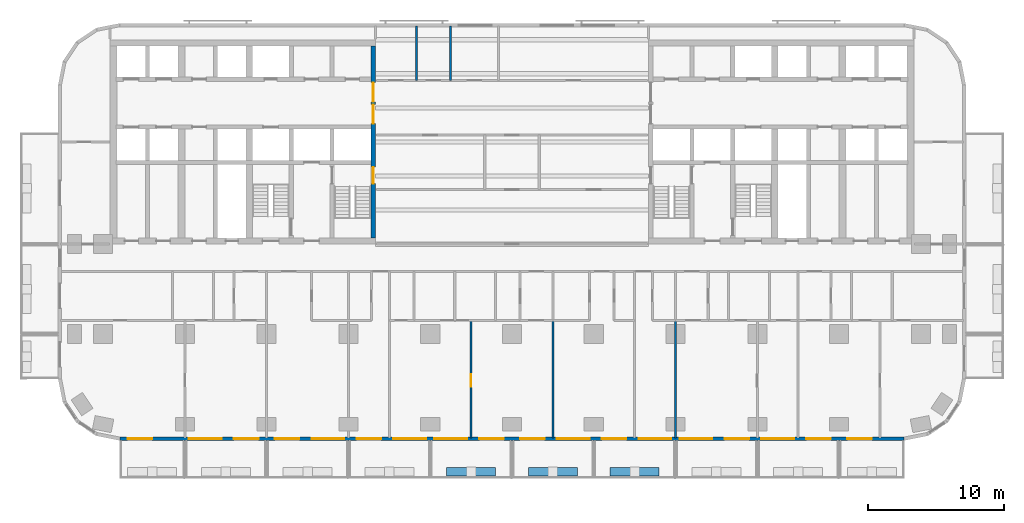
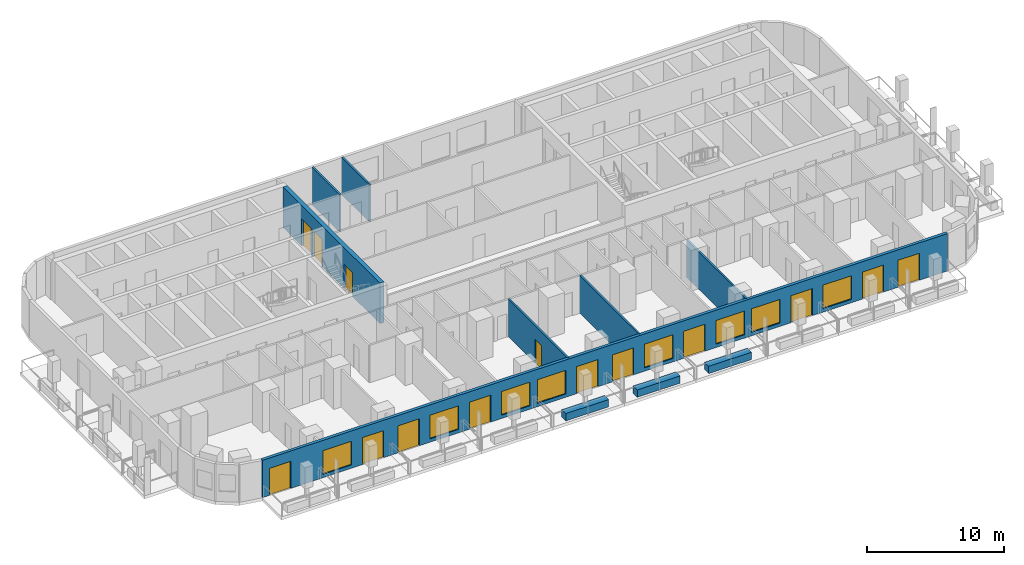
# One storey, part 4 of 14: 14 doors, 10 walls, 8 windows, 22 openings.
"""IFC4 building model written with IfcOpenShell, lengths in metres."""

import ifcopenshell
import ifcopenshell.guid

model = None  # the IFC model being written
_history = None  # IfcOwnerHistory: only IFC2X3 demands one
_inside = {}  # id of a spatial element -> (the spatial element, [elements in it])
_under = {}  # id of a project, library or spatial element -> (it, [spatial elements below it])
_declared = {}  # id of a project -> (the project, [libraries it declares])
_typed = {}  # id of a type object -> (the type object, [elements of that type])
_made_of = {}  # id of a material, layer set ... -> (it, [elements and type objects made of it])


def new_model(schema):
    """Start an empty IFC model of exactly this schema.

    Asked for "IFC4X3", IfcOpenShell would pick the latest addendum, in which some entities
    have other attributes; the version numbers below select the first issue.
    IFC2X3 requires an IfcOwnerHistory on every rooted entity: one is made here for all.
    """
    global model, _history
    if schema == "IFC4X3":
        model = ifcopenshell.file(schema_version=(4, 3, 0, 0))
    else:
        model = ifcopenshell.file(schema=schema)
    _inside.clear()
    _under.clear()
    _declared.clear()
    _typed.clear()
    _made_of.clear()
    _history = None
    if model.schema == "IFC2X3":
        org = make("IfcOrganization", Name="unknown")
        user = make(
            "IfcPersonAndOrganization",
            ThePerson=make("IfcPerson", FamilyName="unknown"),
            TheOrganization=org,
        )
        app = make(
            "IfcApplication",
            ApplicationDeveloper=org,
            Version="unknown",
            ApplicationFullName="unknown",
            ApplicationIdentifier="unknown",
        )
        _history = make(
            "IfcOwnerHistory",
            OwningUser=user,
            OwningApplication=app,
            ChangeAction="ADDED",
            CreationDate=0,
        )
    return model


def make(cls, **values):
    """One entity of the class cls with the attributes given. An attribute that is None is left unset."""
    return model.create_entity(
        cls, **{name: value for name, value in values.items() if value is not None}
    )


def rooted(cls, **values):
    """An entity with a GlobalId (a new one), such as an element, a storey or a relation."""
    return make(cls, GlobalId=ifcopenshell.guid.new(), OwnerHistory=_history, **values)


def si_unit(unit_type, name, prefix=None):
    """IfcSIUnit, for example si_unit("LENGTHUNIT", "METRE", prefix="MILLI")."""
    return make("IfcSIUnit", UnitType=unit_type, Prefix=prefix, Name=name)


def assignment(units):
    """IfcUnitAssignment: the units of a project."""
    return None if units is None else make("IfcUnitAssignment", Units=units)


def point(xyz):
    """IfcCartesianPoint."""
    return None if xyz is None else make("IfcCartesianPoint", Coordinates=xyz)


def direction(xyz):
    """IfcDirection."""
    return None if xyz is None else make("IfcDirection", DirectionRatios=xyz)


def frame(location, z_axis=None, x_axis=None):
    """IfcAxis2Placement3D, a coordinate frame: its origin and axes. An axis left out is left unset."""
    return make(
        "IfcAxis2Placement3D",
        Location=point(location),
        Axis=direction(z_axis),
        RefDirection=direction(x_axis),
    )


def frame_2d(location, x_axis=None):
    """IfcAxis2Placement2D, a coordinate frame in the plane: its origin and x axis."""
    return make(
        "IfcAxis2Placement2D", Location=point(location), RefDirection=direction(x_axis)
    )


def origin():
    """The frame at (0, 0, 0) with its axes left unset."""
    return frame((0.0, 0.0, 0.0))


def place(relative_to, where):
    """IfcLocalPlacement: puts the frame where relative to a parent placement (None: the world)."""
    return make(
        "IfcLocalPlacement", PlacementRelTo=relative_to, RelativePlacement=where
    )


def context(
    kind, dimensions, precision=None, world=None, true_north=None, identifier=None
):
    """IfcGeometricRepresentationContext, for example the 3D "Model" context."""
    return make(
        "IfcGeometricRepresentationContext",
        ContextIdentifier=identifier,
        ContextType=kind,
        CoordinateSpaceDimension=dimensions,
        Precision=precision,
        WorldCoordinateSystem=world,
        TrueNorth=true_north,
    )


def subcontext(parent, identifier, kind, view, scale=None):
    """IfcGeometricRepresentationSubContext, for example "Body" below "Model"."""
    return make(
        "IfcGeometricRepresentationSubContext",
        ContextIdentifier=identifier,
        ContextType=kind,
        ParentContext=parent,
        TargetScale=scale,
        TargetView=view,
    )


def project(units=None, contexts=None):
    """IfcProject with its units and contexts."""
    return rooted(
        "IfcProject",
        Name="project",
        RepresentationContexts=contexts,
        UnitsInContext=assignment(units),
    )


def spatial(cls, under=None, at=None, **own):
    """A site, building, storey or space (cls), placed at a placement, below another one or the project."""
    s = rooted(cls, ObjectPlacement=at, **own)
    if under is not None:
        _under.setdefault(under.id(), (under, []))[1].append(s)
    return s


def profile(cls, at=None, kind="AREA", **sizes):
    """A parametric profile (cls). Its sizes go by their IFC names, for example OverallWidth=200.0."""
    return make(cls, ProfileType=kind, Position=at, **sizes)


def rectangle(**sizes):
    """IfcRectangleProfileDef."""
    return profile("IfcRectangleProfileDef", **sizes)


def extrude(swept, where, along, depth):
    """IfcExtrudedAreaSolid: the profile swept, set in the frame where, extruded along a direction by depth."""
    return make(
        "IfcExtrudedAreaSolid",
        SweptArea=swept,
        Position=where,
        ExtrudedDirection=direction(along),
        Depth=depth,
    )


def shape(context_of_items, identifier, shape_type, items):
    """IfcShapeRepresentation: the items that make up one representation, for example the "Body"."""
    return make(
        "IfcShapeRepresentation",
        ContextOfItems=context_of_items,
        RepresentationIdentifier=identifier,
        RepresentationType=shape_type,
        Items=items,
    )


def material(Name=None, Category=None):
    """IfcMaterial."""
    return make("IfcMaterial", Name=Name, Category=Category)


def layer(
    of_material, thickness, ventilated=None, Name=None, Category=None, Priority=None
):
    """IfcMaterialLayer: one layer of a wall or slab, of a material (None: an air gap)."""
    return make(
        "IfcMaterialLayer",
        Material=of_material,
        LayerThickness=thickness,
        IsVentilated=ventilated,
        Name=Name,
        Category=Category,
        Priority=Priority,
    )


def layer_set(layers, Name=None):
    """IfcMaterialLayerSet."""
    return make("IfcMaterialLayerSet", MaterialLayers=layers, LayerSetName=Name)


def made_of(thing, what):
    """Note that an element or type object is made of a material, layer set ...; save() writes the relation."""
    if what is not None:
        _made_of.setdefault(what.id(), (what, []))[1].append(thing)
    return thing


def type_object(cls, material=None, **own):
    """A type object (cls), such as IfcWallType, which elements share."""
    return made_of(rooted(cls, **own), material)


def element(
    cls,
    number,
    at=None,
    inside=None,
    cuts=None,
    type_object=None,
    material=None,
    context=None,
    identifier="Body",
    shape_type=None,
    held_by="IfcProductDefinitionShape",
    body=None,
    shapes=None,
    **own,
):
    """One element of the class cls, such as IfcWall. Its Tag is "e" and its number.

    at: its placement. inside: the storey or other place that contains it. cuts: it is an
    opening in that element (IfcRelVoidsElement). A single representation is given by context,
    identifier, shape_type and body (its items); several are given by shapes. held_by: the class
    of the entity that holds the representations. save() writes the other relations.
    """
    e = rooted(cls, Tag="e%d" % number, ObjectPlacement=at, **own)
    if body is not None:
        shapes = [shape(context, identifier, shape_type, body)]
    if shapes is not None:
        e.Representation = make(held_by, Representations=shapes)
    if inside is not None:
        _inside.setdefault(inside.id(), (inside, []))[1].append(e)
    if cuts is not None:
        rooted(
            "IfcRelVoidsElement", RelatingBuildingElement=cuts, RelatedOpeningElement=e
        )
    if type_object is not None:
        _typed.setdefault(type_object.id(), (type_object, []))[1].append(e)
    return made_of(e, material)


def fill(opening, filler):
    """IfcRelFillsElement: the door or window that sits in an opening."""
    return rooted(
        "IfcRelFillsElement",
        RelatingOpeningElement=opening,
        RelatedBuildingElement=filler,
    )


def aggregate(whole, parts):
    """IfcRelAggregates: a whole, such as a stair, and the parts it consists of."""
    return rooted("IfcRelAggregates", RelatingObject=whole, RelatedObjects=parts)


def save(model, path):
    """Write the relations noted so far, then the file.

    IfcRelAggregates (storeys below a building ...), IfcRelContainedInSpatialStructure (elements
    in a storey), IfcRelDefinesByType, IfcRelAssociatesMaterial and IfcRelDeclares: one each for
    every whole, place, type object, material and project.
    """
    for whole, parts in _under.values():
        aggregate(whole, parts)
    for where, things in _inside.values():
        rooted(
            "IfcRelContainedInSpatialStructure",
            RelatedElements=things,
            RelatingStructure=where,
        )
    for kind, things in _typed.values():
        rooted("IfcRelDefinesByType", RelatedObjects=things, RelatingType=kind)
    for what, things in _made_of.values():
        rooted("IfcRelAssociatesMaterial", RelatedObjects=things, RelatingMaterial=what)
    for by, libraries in _declared.values():
        rooted("IfcRelDeclares", RelatingContext=by, RelatedDefinitions=libraries)
    model.write(path)


model = new_model("IFC4")

# Units and contexts
model_context = context("Model", 3, precision=1e-05, world=origin(), true_north=direction((0.0, 1.0)))
body_context = subcontext(model_context, "Body", "Model", "MODEL_VIEW")
ifc_project = project(units=[si_unit("LENGTHUNIT", "METRE"), si_unit("AREAUNIT", "SQUARE_METRE"), si_unit("VOLUMEUNIT", "CUBIC_METRE"), si_unit("PLANEANGLEUNIT", "RADIAN"), si_unit("MASSUNIT", "GRAM", prefix="KILO")], contexts=[model_context])

# Site, building, storey
site_placement = place(None, origin())
site = spatial("IfcSite", under=ifc_project, at=site_placement, CompositionType="ELEMENT")
building_placement = place(site_placement, origin())
building = spatial("IfcBuilding", under=site, at=building_placement, Name="Torana Hotel and Residences", CompositionType="ELEMENT")
storey_placement = place(building_placement, frame((0.0, 0.0, 96.0)))
storey = spatial("IfcBuildingStorey", under=building, at=storey_placement, Name="L24", CompositionType="ELEMENT", Elevation=96.0)

# Wall, openings, doors
ifc_material_1 = material(Name="Concrete C80/95", Category="concrete")
ifc_layer_1 = layer(ifc_material_1, 0.35009765625)
ifc_layer_set_1 = layer_set([ifc_layer_1], Name="CORE WALL 350 C80/95")
wall_type_1 = type_object("IfcWallType", Name="CORE WALL 350 C80/95", PredefinedType="SHEAR", material=ifc_layer_set_1)
wall_1_placement = place(storey_placement, frame((-10.175048828125, -14.550048828125, 0.0), z_axis=(0.0, 0.0, 1.0), x_axis=(0.0, 1.0, 0.0)))
wall_1 = element("IfcWall", 1, at=wall_1_placement, inside=storey, type_object=wall_type_1, Name="Core wall W arch", PredefinedType="SHEAR", context=body_context, shape_type="SweptSolid", body=[
    extrude(rectangle(XDim=14.10009765625, YDim=0.35009765625, at=frame_2d((7.050048828125, 0.0))), origin(), (0.0, 0.0, 1.0), 3.60009765625),
])
opening_1_placement = place(wall_1_placement, frame((8.39990234375, 0.0, 0.0)))
opening_1 = element("IfcOpeningElement", 2, at=opening_1_placement, cuts=wall_1, Name="Opening L24-01", PredefinedType="OPENING", context=body_context, shape_type="SweptSolid", body=[
    extrude(rectangle(XDim=1.39990234375, YDim=2.39990234375, at=frame_2d((0.699951171875, 1.199951171875))), frame((0.0, 0.18505859375, 0.0), z_axis=(0.0, -1.0, 0.0), x_axis=(1.0, 0.0, 0.0)), (0.0, 0.0, 1.0), 0.3701171875),
])
opening_2_placement = place(wall_1_placement, frame((10.0, 0.0, 0.0)))
opening_2 = element("IfcOpeningElement", 3, at=opening_2_placement, cuts=wall_1, Name="Opening L24-02", PredefinedType="OPENING", context=body_context, shape_type="SweptSolid", body=[
    extrude(rectangle(XDim=1.39990234375, YDim=2.39990234375, at=frame_2d((0.699951171875, 1.199951171875))), frame((0.0, 0.18505859375, 0.0), z_axis=(0.0, -1.0, 0.0), x_axis=(1.0, 0.0, 0.0)), (0.0, 0.0, 1.0), 0.3701171875),
])
opening_3_placement = place(wall_1_placement, frame((4.0, 0.0, 0.0)))
opening_3 = element("IfcOpeningElement", 4, at=opening_3_placement, cuts=wall_1, Name="Opening L24-03", PredefinedType="OPENING", context=body_context, shape_type="SweptSolid", body=[
    extrude(rectangle(XDim=1.199951171875, YDim=2.10009765625, at=frame_2d((0.60009765625, 1.050048828125))), frame((0.0, 0.18505859375, 0.0), z_axis=(0.0, -1.0, 0.0), x_axis=(1.0, 0.0, 0.0)), (0.0, 0.0, 1.0), 0.3701171875),
])
ifc_material_2 = material(Name="Steel S235", Category="steel")
door_type_1 = type_object("IfcDoorType", Name="LOBBY FIRE DOOR D4 1400x2400", OperationType="DOUBLE_DOOR_SINGLE_SWING", PredefinedType="DOOR", material=ifc_material_2)
door_1_placement = place(opening_1_placement, origin())
door_1 = element("IfcDoor", 5, at=door_1_placement, inside=storey, type_object=door_type_1, Name="Lobby-1 door L24", OperationType="DOUBLE_DOOR_SINGLE_SWING", OverallHeight=2.39990234375, OverallWidth=1.39990234375, PredefinedType="DOOR", context=body_context, shape_type="SweptSolid", body=[
    extrude(rectangle(XDim=1.39990234375, YDim=2.39990234375, at=frame_2d((0.699951171875, 1.199951171875))), frame((0.0, 0.02490234375, 0.0), z_axis=(0.0, -1.0, 0.0), x_axis=(1.0, 0.0, 0.0)), (0.0, 0.0, 1.0), 0.050048828125),
])
fill(opening_1, door_1)
door_2_placement = place(opening_2_placement, origin())
door_2 = element("IfcDoor", 6, at=door_2_placement, inside=storey, type_object=door_type_1, Name="Lobby-2 door L24", OperationType="DOUBLE_DOOR_SINGLE_SWING", OverallHeight=2.39990234375, OverallWidth=1.39990234375, PredefinedType="DOOR", context=body_context, shape_type="SweptSolid", body=[
    extrude(rectangle(XDim=1.39990234375, YDim=2.39990234375, at=frame_2d((0.699951171875, 1.199951171875))), frame((0.0, 0.02490234375, 0.0), z_axis=(0.0, -1.0, 0.0), x_axis=(1.0, 0.0, 0.0)), (0.0, 0.0, 1.0), 0.050048828125),
])
fill(opening_2, door_2)
ifc_material_3 = material(Name="Steel S235", Category="steel")
door_type_2 = type_object("IfcDoorType", Name="STAIR FIRE DOOR D3 1200x2100", OperationType="SINGLE_SWING_LEFT", PredefinedType="DOOR", material=ifc_material_3)
door_3_placement = place(opening_3_placement, origin())
door_3 = element("IfcDoor", 7, at=door_3_placement, inside=storey, type_object=door_type_2, Name="Stair-A door L24", OperationType="SINGLE_SWING_LEFT", OverallHeight=2.10009765625, OverallWidth=1.199951171875, PredefinedType="DOOR", context=body_context, shape_type="SweptSolid", body=[
    extrude(rectangle(XDim=1.199951171875, YDim=2.10009765625, at=frame_2d((0.60009765625, 1.050048828125))), frame((0.0, 0.02490234375, 0.0), z_axis=(0.0, -1.0, 0.0), x_axis=(1.0, 0.0, 0.0)), (0.0, 0.0, 1.0), 0.050048828125),
])
fill(opening_3, door_3)

# Wall, openings, doors, windows
ifc_material_4 = material(Name="Black aluminium composite panel", Category="aluminium")
ifc_layer_2 = layer(ifc_material_4, 0.00390625, Name="Cladding", Category="cladding")
ifc_material_5 = material(Name="Ventilated air cavity")
ifc_layer_3 = layer(ifc_material_5, 0.0400390625, Name="Ventilated cavity", Category="cavity")
ifc_material_6 = material(Name="Mineral wool insulation")
ifc_layer_4 = layer(ifc_material_6, 0.090087890625, Name="Insulation", Category="insulation")
ifc_material_7 = material(Name="Steel S280GD", Category="steel")
ifc_layer_5 = layer(ifc_material_7, 0.092041015625, Name="Steel stud frame", Category="structure")
ifc_material_8 = material(Name="Fire rated plasterboard")
ifc_layer_6 = layer(ifc_material_8, 0.011962890625, Name="Inner board", Category="finish")
ifc_layer_7 = layer(ifc_material_8, 0.011962890625, Name="Second board", Category="finish")
ifc_layer_set_2 = layer_set([ifc_layer_2, ifc_layer_3, ifc_layer_4, ifc_layer_5, ifc_layer_6, ifc_layer_7], Name="EW1 EXTERNAL WALL BLACK METAL CLAD 250")
wall_type_2 = type_object("IfcWallType", Name="EW1 EXTERNAL WALL BLACK METAL CLAD 250", PredefinedType="SOLIDWALL", material=ifc_layer_set_2)
wall_2_placement = place(storey_placement, frame((-28.775390625, -29.27490234375, 0.0), z_axis=(0.0, 0.0, 1.0), x_axis=(1.0, 0.0, 0.0)))
wall_2 = element("IfcWall", 8, at=wall_2_placement, inside=storey, type_object=wall_type_2, Name="External wall L24 e0.14", PredefinedType="SOLIDWALL", context=body_context, shape_type="SweptSolid", body=[
    extrude(rectangle(XDim=57.55078125, YDim=0.25, at=frame_2d((28.775390625, 0.0))), origin(), (0.0, 0.0, 1.0), 3.320068359375),
])
opening_4_placement = place(wall_2_placement, frame((0.575439453125, 0.0, 0.0)))
opening_4 = element("IfcOpeningElement", 9, at=opening_4_placement, cuts=wall_2, Name="Opening L24-E01", PredefinedType="OPENING", context=body_context, shape_type="SweptSolid", body=[
    extrude(rectangle(XDim=1.800048828125, YDim=2.39990234375, at=frame_2d((0.89990234375, 1.199951171875))), frame((0.0, 0.135009765625, 0.0), z_axis=(0.0, -1.0, 0.0), x_axis=(1.0, 0.0, 0.0)), (0.0, 0.0, 1.0), 0.27001953125),
])
opening_5_placement = place(wall_2_placement, frame((5.075439453125, 0.0, 0.300048828125)))
opening_5 = element("IfcOpeningElement", 10, at=opening_5_placement, cuts=wall_2, Name="Opening W1", PredefinedType="OPENING", context=body_context, shape_type="SweptSolid", body=[
    extrude(rectangle(XDim=2.39990234375, YDim=2.10009765625, at=frame_2d((1.199951171875, 1.050048828125))), frame((0.0, 0.135009765625, 0.0), z_axis=(0.0, -1.0, 0.0), x_axis=(1.0, 0.0, 0.0)), (0.0, 0.0, 1.0), 0.27001953125),
])
opening_6_placement = place(wall_2_placement, frame((8.37548828125, 0.0, 0.0)))
opening_6 = element("IfcOpeningElement", 11, at=opening_6_placement, cuts=wall_2, Name="Opening L24-E02", PredefinedType="OPENING", context=body_context, shape_type="SweptSolid", body=[
    extrude(rectangle(XDim=1.800048828125, YDim=2.39990234375, at=frame_2d((0.89990234375, 1.199951171875))), frame((0.0, 0.135009765625, 0.0), z_axis=(0.0, -1.0, 0.0), x_axis=(1.0, 0.0, 0.0)), (0.0, 0.0, 1.0), 0.27001953125),
])
opening_7_placement = place(wall_2_placement, frame((11.37548828125, 0.0, 0.0)))
opening_7 = element("IfcOpeningElement", 12, at=opening_7_placement, cuts=wall_2, Name="Opening L24-E03", PredefinedType="OPENING", context=body_context, shape_type="SweptSolid", body=[
    extrude(rectangle(XDim=1.800048828125, YDim=2.39990234375, at=frame_2d((0.89990234375, 1.199951171875))), frame((0.0, 0.135009765625, 0.0), z_axis=(0.0, -1.0, 0.0), x_axis=(1.0, 0.0, 0.0)), (0.0, 0.0, 1.0), 0.27001953125),
])
opening_8_placement = place(wall_2_placement, frame((14.075439453125, 0.0, 0.300048828125)))
opening_8 = element("IfcOpeningElement", 13, at=opening_8_placement, cuts=wall_2, Name="Opening W1", PredefinedType="OPENING", context=body_context, shape_type="SweptSolid", body=[
    extrude(rectangle(XDim=2.39990234375, YDim=2.10009765625, at=frame_2d((1.199951171875, 1.050048828125))), frame((0.0, 0.135009765625, 0.0), z_axis=(0.0, -1.0, 0.0), x_axis=(1.0, 0.0, 0.0)), (0.0, 0.0, 1.0), 0.27001953125),
])
opening_9_placement = place(wall_2_placement, frame((17.37548828125, 0.0, 0.0)))
opening_9 = element("IfcOpeningElement", 14, at=opening_9_placement, cuts=wall_2, Name="Opening L24-E04", PredefinedType="OPENING", context=body_context, shape_type="SweptSolid", body=[
    extrude(rectangle(XDim=1.800048828125, YDim=2.39990234375, at=frame_2d((0.89990234375, 1.199951171875))), frame((0.0, 0.135009765625, 0.0), z_axis=(0.0, -1.0, 0.0), x_axis=(1.0, 0.0, 0.0)), (0.0, 0.0, 1.0), 0.27001953125),
])
opening_10_placement = place(wall_2_placement, frame((20.075439453125, 0.0, 0.300048828125)))
opening_10 = element("IfcOpeningElement", 15, at=opening_10_placement, cuts=wall_2, Name="Opening W1", PredefinedType="OPENING", context=body_context, shape_type="SweptSolid", body=[
    extrude(rectangle(XDim=2.39990234375, YDim=2.10009765625, at=frame_2d((1.199951171875, 1.050048828125))), frame((0.0, 0.135009765625, 0.0), z_axis=(0.0, -1.0, 0.0), x_axis=(1.0, 0.0, 0.0)), (0.0, 0.0, 1.0), 0.27001953125),
])
opening_11_placement = place(wall_2_placement, frame((23.075439453125, 0.0, 0.300048828125)))
opening_11 = element("IfcOpeningElement", 16, at=opening_11_placement, cuts=wall_2, Name="Opening W1", PredefinedType="OPENING", context=body_context, shape_type="SweptSolid", body=[
    extrude(rectangle(XDim=2.39990234375, YDim=2.10009765625, at=frame_2d((1.199951171875, 1.050048828125))), frame((0.0, 0.135009765625, 0.0), z_axis=(0.0, -1.0, 0.0), x_axis=(1.0, 0.0, 0.0)), (0.0, 0.0, 1.0), 0.27001953125),
])
opening_12_placement = place(wall_2_placement, frame((26.37548828125, 0.0, 0.0)))
opening_12 = element("IfcOpeningElement", 17, at=opening_12_placement, cuts=wall_2, Name="Opening L24-E05", PredefinedType="OPENING", context=body_context, shape_type="SweptSolid", body=[
    extrude(rectangle(XDim=1.800048828125, YDim=2.39990234375, at=frame_2d((0.89990234375, 1.199951171875))), frame((0.0, 0.135009765625, 0.0), z_axis=(0.0, -1.0, 0.0), x_axis=(1.0, 0.0, 0.0)), (0.0, 0.0, 1.0), 0.27001953125),
])
opening_13_placement = place(wall_2_placement, frame((29.37548828125, 0.0, 0.0)))
opening_13 = element("IfcOpeningElement", 18, at=opening_13_placement, cuts=wall_2, Name="Opening L24-E06", PredefinedType="OPENING", context=body_context, shape_type="SweptSolid", body=[
    extrude(rectangle(XDim=1.800048828125, YDim=2.39990234375, at=frame_2d((0.89990234375, 1.199951171875))), frame((0.0, 0.135009765625, 0.0), z_axis=(0.0, -1.0, 0.0), x_axis=(1.0, 0.0, 0.0)), (0.0, 0.0, 1.0), 0.27001953125),
])
opening_14_placement = place(wall_2_placement, frame((32.075439453125, 0.0, 0.300048828125)))
opening_14 = element("IfcOpeningElement", 19, at=opening_14_placement, cuts=wall_2, Name="Opening W1", PredefinedType="OPENING", context=body_context, shape_type="SweptSolid", body=[
    extrude(rectangle(XDim=2.39990234375, YDim=2.10009765625, at=frame_2d((1.199951171875, 1.050048828125))), frame((0.0, 0.135009765625, 0.0), z_axis=(0.0, -1.0, 0.0), x_axis=(1.0, 0.0, 0.0)), (0.0, 0.0, 1.0), 0.27001953125),
])
opening_15_placement = place(wall_2_placement, frame((35.37548828125, 0.0, 0.0)))
opening_15 = element("IfcOpeningElement", 20, at=opening_15_placement, cuts=wall_2, Name="Opening L24-E07", PredefinedType="OPENING", context=body_context, shape_type="SweptSolid", body=[
    extrude(rectangle(XDim=1.800048828125, YDim=2.39990234375, at=frame_2d((0.89990234375, 1.199951171875))), frame((0.0, 0.135009765625, 0.0), z_axis=(0.0, -1.0, 0.0), x_axis=(1.0, 0.0, 0.0)), (0.0, 0.0, 1.0), 0.27001953125),
])
opening_16_placement = place(wall_2_placement, frame((38.075439453125, 0.0, 0.300048828125)))
opening_16 = element("IfcOpeningElement", 21, at=opening_16_placement, cuts=wall_2, Name="Opening W1", PredefinedType="OPENING", context=body_context, shape_type="SweptSolid", body=[
    extrude(rectangle(XDim=2.39990234375, YDim=2.10009765625, at=frame_2d((1.199951171875, 1.050048828125))), frame((0.0, 0.135009765625, 0.0), z_axis=(0.0, -1.0, 0.0), x_axis=(1.0, 0.0, 0.0)), (0.0, 0.0, 1.0), 0.27001953125),
])
opening_17_placement = place(wall_2_placement, frame((41.075439453125, 0.0, 0.300048828125)))
opening_17 = element("IfcOpeningElement", 22, at=opening_17_placement, cuts=wall_2, Name="Opening W1", PredefinedType="OPENING", context=body_context, shape_type="SweptSolid", body=[
    extrude(rectangle(XDim=2.39990234375, YDim=2.10009765625, at=frame_2d((1.199951171875, 1.050048828125))), frame((0.0, 0.135009765625, 0.0), z_axis=(0.0, -1.0, 0.0), x_axis=(1.0, 0.0, 0.0)), (0.0, 0.0, 1.0), 0.27001953125),
])
opening_18_placement = place(wall_2_placement, frame((44.37548828125, 0.0, 0.0)))
opening_18 = element("IfcOpeningElement", 23, at=opening_18_placement, cuts=wall_2, Name="Opening L24-E08", PredefinedType="OPENING", context=body_context, shape_type="SweptSolid", body=[
    extrude(rectangle(XDim=1.800048828125, YDim=2.39990234375, at=frame_2d((0.89990234375, 1.199951171875))), frame((0.0, 0.135009765625, 0.0), z_axis=(0.0, -1.0, 0.0), x_axis=(1.0, 0.0, 0.0)), (0.0, 0.0, 1.0), 0.27001953125),
])
opening_19_placement = place(wall_2_placement, frame((47.075439453125, 0.0, 0.300048828125)))
opening_19 = element("IfcOpeningElement", 24, at=opening_19_placement, cuts=wall_2, Name="Opening W1", PredefinedType="OPENING", context=body_context, shape_type="SweptSolid", body=[
    extrude(rectangle(XDim=2.39990234375, YDim=2.10009765625, at=frame_2d((1.199951171875, 1.050048828125))), frame((0.0, 0.135009765625, 0.0), z_axis=(0.0, -1.0, 0.0), x_axis=(1.0, 0.0, 0.0)), (0.0, 0.0, 1.0), 0.27001953125),
])
opening_20_placement = place(wall_2_placement, frame((50.37548828125, 0.0, 0.0)))
opening_20 = element("IfcOpeningElement", 25, at=opening_20_placement, cuts=wall_2, Name="Opening L24-E09", PredefinedType="OPENING", context=body_context, shape_type="SweptSolid", body=[
    extrude(rectangle(XDim=1.800048828125, YDim=2.39990234375, at=frame_2d((0.89990234375, 1.199951171875))), frame((0.0, 0.135009765625, 0.0), z_axis=(0.0, -1.0, 0.0), x_axis=(1.0, 0.0, 0.0)), (0.0, 0.0, 1.0), 0.27001953125),
])
opening_21_placement = place(wall_2_placement, frame((53.37548828125, 0.0, 0.0)))
opening_21 = element("IfcOpeningElement", 26, at=opening_21_placement, cuts=wall_2, Name="Opening L24-E10", PredefinedType="OPENING", context=body_context, shape_type="SweptSolid", body=[
    extrude(rectangle(XDim=1.800048828125, YDim=2.39990234375, at=frame_2d((0.89990234375, 1.199951171875))), frame((0.0, 0.135009765625, 0.0), z_axis=(0.0, -1.0, 0.0), x_axis=(1.0, 0.0, 0.0)), (0.0, 0.0, 1.0), 0.27001953125),
])
ifc_material_9 = material(Name="Dark glass in black aluminium frame", Category="aluminium")
door_type_3 = type_object("IfcDoorType", Name="DB1 BALCONY DOOR 1800x2400", OperationType="DOUBLE_DOOR_SINGLE_SWING", PredefinedType="DOOR", material=ifc_material_9)
door_4_placement = place(opening_4_placement, origin())
door_4 = element("IfcDoor", 27, at=door_4_placement, inside=storey, type_object=door_type_3, Name="Balcony door L24", OperationType="DOUBLE_DOOR_SINGLE_SWING", OverallHeight=2.39990234375, OverallWidth=1.800048828125, PredefinedType="DOOR", context=body_context, shape_type="SweptSolid", body=[
    extrude(rectangle(XDim=1.800048828125, YDim=2.39990234375, at=frame_2d((0.89990234375, 1.199951171875))), frame((0.0, 0.02490234375, 0.0), z_axis=(0.0, -1.0, 0.0), x_axis=(1.0, 0.0, 0.0)), (0.0, 0.0, 1.0), 0.050048828125),
])
fill(opening_4, door_4)
door_5_placement = place(opening_6_placement, frame((0.89990234375, 0.0, 0.0), z_axis=(0.0, 0.0, 1.0), x_axis=(-1.0, 0.0, 0.0)))
door_5 = element("IfcDoor", 28, at=door_5_placement, inside=storey, type_object=door_type_3, Name="Balcony door L24", OperationType="DOUBLE_DOOR_SINGLE_SWING", OverallHeight=2.39990234375, OverallWidth=1.800048828125, PredefinedType="DOOR", context=body_context, shape_type="SweptSolid", body=[
    extrude(rectangle(XDim=1.800048828125, YDim=2.39990234375, at=frame_2d((0.0, 1.199951171875))), frame((0.0, -0.02490234375, 0.0), z_axis=(0.0, 1.0, 0.0), x_axis=(-1.0, 0.0, 0.0)), (0.0, 0.0, 1.0), 0.050048828125),
])
fill(opening_6, door_5)
door_6_placement = place(opening_7_placement, frame((0.89990234375, 0.0, 0.0), z_axis=(0.0, 0.0, 1.0), x_axis=(-1.0, 0.0, 0.0)))
door_6 = element("IfcDoor", 29, at=door_6_placement, inside=storey, type_object=door_type_3, Name="Balcony door L24", OperationType="DOUBLE_DOOR_SINGLE_SWING", OverallHeight=2.39990234375, OverallWidth=1.800048828125, PredefinedType="DOOR", context=body_context, shape_type="SweptSolid", body=[
    extrude(rectangle(XDim=1.800048828125, YDim=2.39990234375, at=frame_2d((0.0, 1.199951171875))), frame((0.0, -0.02490234375, 0.0), z_axis=(0.0, 1.0, 0.0), x_axis=(-1.0, 0.0, 0.0)), (0.0, 0.0, 1.0), 0.050048828125),
])
fill(opening_7, door_6)
door_7_placement = place(opening_9_placement, frame((0.89990234375, 0.0, 0.0), z_axis=(0.0, 0.0, 1.0), x_axis=(-1.0, 0.0, 0.0)))
door_7 = element("IfcDoor", 30, at=door_7_placement, inside=storey, type_object=door_type_3, Name="Balcony door L24", OperationType="DOUBLE_DOOR_SINGLE_SWING", OverallHeight=2.39990234375, OverallWidth=1.800048828125, PredefinedType="DOOR", context=body_context, shape_type="SweptSolid", body=[
    extrude(rectangle(XDim=1.800048828125, YDim=2.39990234375, at=frame_2d((0.0, 1.199951171875))), frame((0.0, -0.02490234375, 0.0), z_axis=(0.0, 1.0, 0.0), x_axis=(-1.0, 0.0, 0.0)), (0.0, 0.0, 1.0), 0.050048828125),
])
fill(opening_9, door_7)
door_8_placement = place(opening_12_placement, frame((0.89990234375, 0.0, 0.0), z_axis=(0.0, 0.0, 1.0), x_axis=(-1.0, 0.0, 0.0)))
door_8 = element("IfcDoor", 31, at=door_8_placement, inside=storey, type_object=door_type_3, Name="Balcony door L24", OperationType="DOUBLE_DOOR_SINGLE_SWING", OverallHeight=2.39990234375, OverallWidth=1.800048828125, PredefinedType="DOOR", context=body_context, shape_type="SweptSolid", body=[
    extrude(rectangle(XDim=1.800048828125, YDim=2.39990234375, at=frame_2d((0.0, 1.199951171875))), frame((0.0, -0.02490234375, 0.0), z_axis=(0.0, 1.0, 0.0), x_axis=(-1.0, 0.0, 0.0)), (0.0, 0.0, 1.0), 0.050048828125),
])
fill(opening_12, door_8)
door_9_placement = place(opening_13_placement, frame((0.89990234375, 0.0, 0.0), z_axis=(0.0, 0.0, 1.0), x_axis=(-1.0, 0.0, 0.0)))
door_9 = element("IfcDoor", 32, at=door_9_placement, inside=storey, type_object=door_type_3, Name="Balcony door L24", OperationType="DOUBLE_DOOR_SINGLE_SWING", OverallHeight=2.39990234375, OverallWidth=1.800048828125, PredefinedType="DOOR", context=body_context, shape_type="SweptSolid", body=[
    extrude(rectangle(XDim=1.800048828125, YDim=2.39990234375, at=frame_2d((0.0, 1.199951171875))), frame((0.0, -0.02490234375, 0.0), z_axis=(0.0, 1.0, 0.0), x_axis=(-1.0, 0.0, 0.0)), (0.0, 0.0, 1.0), 0.050048828125),
])
fill(opening_13, door_9)
door_10_placement = place(opening_15_placement, frame((0.89990234375, 0.0, 0.0), z_axis=(0.0, 0.0, 1.0), x_axis=(-1.0, 0.0, 0.0)))
door_10 = element("IfcDoor", 33, at=door_10_placement, inside=storey, type_object=door_type_3, Name="Balcony door L24", OperationType="DOUBLE_DOOR_SINGLE_SWING", OverallHeight=2.39990234375, OverallWidth=1.800048828125, PredefinedType="DOOR", context=body_context, shape_type="SweptSolid", body=[
    extrude(rectangle(XDim=1.800048828125, YDim=2.39990234375, at=frame_2d((0.0, 1.199951171875))), frame((0.0, -0.02490234375, 0.0), z_axis=(0.0, 1.0, 0.0), x_axis=(-1.0, 0.0, 0.0)), (0.0, 0.0, 1.0), 0.050048828125),
])
fill(opening_15, door_10)
door_11_placement = place(opening_18_placement, frame((0.89990234375, 0.0, 0.0), z_axis=(0.0, 0.0, 1.0), x_axis=(-1.0, 0.0, 0.0)))
door_11 = element("IfcDoor", 34, at=door_11_placement, inside=storey, type_object=door_type_3, Name="Balcony door L24", OperationType="DOUBLE_DOOR_SINGLE_SWING", OverallHeight=2.39990234375, OverallWidth=1.800048828125, PredefinedType="DOOR", context=body_context, shape_type="SweptSolid", body=[
    extrude(rectangle(XDim=1.800048828125, YDim=2.39990234375, at=frame_2d((0.0, 1.199951171875))), frame((0.0, -0.02490234375, 0.0), z_axis=(0.0, 1.0, 0.0), x_axis=(-1.0, 0.0, 0.0)), (0.0, 0.0, 1.0), 0.050048828125),
])
fill(opening_18, door_11)
door_12_placement = place(opening_20_placement, frame((0.89990234375, 0.0, 0.0), z_axis=(0.0, 0.0, 1.0), x_axis=(-1.0, 0.0, 0.0)))
door_12 = element("IfcDoor", 35, at=door_12_placement, inside=storey, type_object=door_type_3, Name="Balcony door L24", OperationType="DOUBLE_DOOR_SINGLE_SWING", OverallHeight=2.39990234375, OverallWidth=1.800048828125, PredefinedType="DOOR", context=body_context, shape_type="SweptSolid", body=[
    extrude(rectangle(XDim=1.800048828125, YDim=2.39990234375, at=frame_2d((0.0, 1.199951171875))), frame((0.0, -0.02490234375, 0.0), z_axis=(0.0, 1.0, 0.0), x_axis=(-1.0, 0.0, 0.0)), (0.0, 0.0, 1.0), 0.050048828125),
])
fill(opening_20, door_12)
door_13_placement = place(opening_21_placement, frame((0.89990234375, 0.0, 0.0), z_axis=(0.0, 0.0, 1.0), x_axis=(-1.0, 0.0, 0.0)))
door_13 = element("IfcDoor", 36, at=door_13_placement, inside=storey, type_object=door_type_3, Name="Balcony door L24", OperationType="DOUBLE_DOOR_SINGLE_SWING", OverallHeight=2.39990234375, OverallWidth=1.800048828125, PredefinedType="DOOR", context=body_context, shape_type="SweptSolid", body=[
    extrude(rectangle(XDim=1.800048828125, YDim=2.39990234375, at=frame_2d((0.0, 1.199951171875))), frame((0.0, -0.02490234375, 0.0), z_axis=(0.0, 1.0, 0.0), x_axis=(-1.0, 0.0, 0.0)), (0.0, 0.0, 1.0), 0.050048828125),
])
fill(opening_21, door_13)
ifc_material_10 = material(Name="Dark glass in black aluminium frame", Category="aluminium")
window_type = type_object("IfcWindowType", Name="W1 HOTEL ROOM WINDOW 2400x2100", PartitioningType="SINGLE_PANEL", PredefinedType="WINDOW", material=ifc_material_10)
window_1_placement = place(opening_5_placement, origin())
window_1 = element("IfcWindow", 37, at=window_1_placement, inside=storey, type_object=window_type, Name="Window L24", OverallHeight=2.10009765625, OverallWidth=2.39990234375, PartitioningType="SINGLE_PANEL", PredefinedType="WINDOW", context=body_context, shape_type="SweptSolid", body=[
    extrude(rectangle(XDim=2.39990234375, YDim=2.10009765625, at=frame_2d((1.199951171875, 1.050048828125))), frame((0.0, 0.030029296875, 0.0), z_axis=(0.0, -1.0, 0.0), x_axis=(1.0, 0.0, 0.0)), (0.0, 0.0, 1.0), 0.06005859375),
])
fill(opening_5, window_1)
window_2_placement = place(opening_8_placement, origin())
window_2 = element("IfcWindow", 38, at=window_2_placement, inside=storey, type_object=window_type, Name="Window L24", OverallHeight=2.10009765625, OverallWidth=2.39990234375, PartitioningType="SINGLE_PANEL", PredefinedType="WINDOW", context=body_context, shape_type="SweptSolid", body=[
    extrude(rectangle(XDim=2.39990234375, YDim=2.10009765625, at=frame_2d((1.199951171875, 1.050048828125))), frame((0.0, 0.030029296875, 0.0), z_axis=(0.0, -1.0, 0.0), x_axis=(1.0, 0.0, 0.0)), (0.0, 0.0, 1.0), 0.06005859375),
])
fill(opening_8, window_2)
window_3_placement = place(opening_10_placement, origin())
window_3 = element("IfcWindow", 39, at=window_3_placement, inside=storey, type_object=window_type, Name="Window L24", OverallHeight=2.10009765625, OverallWidth=2.39990234375, PartitioningType="SINGLE_PANEL", PredefinedType="WINDOW", context=body_context, shape_type="SweptSolid", body=[
    extrude(rectangle(XDim=2.39990234375, YDim=2.10009765625, at=frame_2d((1.199951171875, 1.050048828125))), frame((0.0, 0.030029296875, 0.0), z_axis=(0.0, -1.0, 0.0), x_axis=(1.0, 0.0, 0.0)), (0.0, 0.0, 1.0), 0.06005859375),
])
fill(opening_10, window_3)
window_4_placement = place(opening_11_placement, origin())
window_4 = element("IfcWindow", 40, at=window_4_placement, inside=storey, type_object=window_type, Name="Window L24", OverallHeight=2.10009765625, OverallWidth=2.39990234375, PartitioningType="SINGLE_PANEL", PredefinedType="WINDOW", context=body_context, shape_type="SweptSolid", body=[
    extrude(rectangle(XDim=2.39990234375, YDim=2.10009765625, at=frame_2d((1.199951171875, 1.050048828125))), frame((0.0, 0.030029296875, 0.0), z_axis=(0.0, -1.0, 0.0), x_axis=(1.0, 0.0, 0.0)), (0.0, 0.0, 1.0), 0.06005859375),
])
fill(opening_11, window_4)
window_5_placement = place(opening_14_placement, origin())
window_5 = element("IfcWindow", 41, at=window_5_placement, inside=storey, type_object=window_type, Name="Window L24", OverallHeight=2.10009765625, OverallWidth=2.39990234375, PartitioningType="SINGLE_PANEL", PredefinedType="WINDOW", context=body_context, shape_type="SweptSolid", body=[
    extrude(rectangle(XDim=2.39990234375, YDim=2.10009765625, at=frame_2d((1.199951171875, 1.050048828125))), frame((0.0, 0.030029296875, 0.0), z_axis=(0.0, -1.0, 0.0), x_axis=(1.0, 0.0, 0.0)), (0.0, 0.0, 1.0), 0.06005859375),
])
fill(opening_14, window_5)
window_6_placement = place(opening_16_placement, origin())
window_6 = element("IfcWindow", 42, at=window_6_placement, inside=storey, type_object=window_type, Name="Window L24", OverallHeight=2.10009765625, OverallWidth=2.39990234375, PartitioningType="SINGLE_PANEL", PredefinedType="WINDOW", context=body_context, shape_type="SweptSolid", body=[
    extrude(rectangle(XDim=2.39990234375, YDim=2.10009765625, at=frame_2d((1.199951171875, 1.050048828125))), frame((0.0, 0.030029296875, 0.0), z_axis=(0.0, -1.0, 0.0), x_axis=(1.0, 0.0, 0.0)), (0.0, 0.0, 1.0), 0.06005859375),
])
fill(opening_16, window_6)
window_7_placement = place(opening_17_placement, origin())
window_7 = element("IfcWindow", 43, at=window_7_placement, inside=storey, type_object=window_type, Name="Window L24", OverallHeight=2.10009765625, OverallWidth=2.39990234375, PartitioningType="SINGLE_PANEL", PredefinedType="WINDOW", context=body_context, shape_type="SweptSolid", body=[
    extrude(rectangle(XDim=2.39990234375, YDim=2.10009765625, at=frame_2d((1.199951171875, 1.050048828125))), frame((0.0, 0.030029296875, 0.0), z_axis=(0.0, -1.0, 0.0), x_axis=(1.0, 0.0, 0.0)), (0.0, 0.0, 1.0), 0.06005859375),
])
fill(opening_17, window_7)
window_8_placement = place(opening_19_placement, origin())
window_8 = element("IfcWindow", 44, at=window_8_placement, inside=storey, type_object=window_type, Name="Window L24", OverallHeight=2.10009765625, OverallWidth=2.39990234375, PartitioningType="SINGLE_PANEL", PredefinedType="WINDOW", context=body_context, shape_type="SweptSolid", body=[
    extrude(rectangle(XDim=2.39990234375, YDim=2.10009765625, at=frame_2d((1.199951171875, 1.050048828125))), frame((0.0, 0.030029296875, 0.0), z_axis=(0.0, -1.0, 0.0), x_axis=(1.0, 0.0, 0.0)), (0.0, 0.0, 1.0), 0.06005859375),
])
fill(opening_19, window_8)

# Walls
ifc_material_11 = material(Name="Gypsum plasterboard")
ifc_layer_8 = layer(ifc_material_11, 0.012451171875, Name="Plasterboard", Category="finish")
ifc_layer_9 = layer(ifc_material_11, 0.012451171875, Name="Plasterboard", Category="finish")
ifc_layer_10 = layer(ifc_material_7, 0.10009765625, Name="Steel studs with mineral wool", Category="insulation")
ifc_layer_11 = layer(ifc_material_11, 0.012451171875, Name="Plasterboard", Category="finish")
ifc_layer_12 = layer(ifc_material_11, 0.012451171875, Name="Plasterboard", Category="finish")
ifc_layer_set_3 = layer_set([ifc_layer_8, ifc_layer_9, ifc_layer_10, ifc_layer_11, ifc_layer_12], Name="PARTITION 150 PLASTERBOARD")
wall_type_3 = type_object("IfcWallType", Name="PARTITION 150 PLASTERBOARD", PredefinedType="PARTITIONING", material=ifc_layer_set_3)
for number, where, z_axis, x_axis, name in (
    (45, (12.0, -29.219970703125, 0.0), (0.0, 0.0, 1.0), (0.0, 1.0, 0.0), "Partition L24"),
    (46, (3.0, -29.219970703125, 0.0), (0.0, 0.0, 1.0), (0.0, 1.0, 0.0), "Partition L24"),
):
    element("IfcWall", number, at=place(storey_placement, frame(where, z_axis=z_axis, x_axis=x_axis)), inside=storey, type_object=wall_type_3, Name=name, PredefinedType="PARTITIONING", context=body_context, shape_type="SweptSolid", body=[
        extrude(rectangle(XDim=8.619873046875, YDim=0.14990234375, at=frame_2d((4.31005859375, 0.0))), origin(), (0.0, 0.0, 1.0), 3.320068359375),
    ])

# Wall, opening, door
wall_3_placement = place(storey_placement, frame((-3.0, -29.219970703125, 0.0), z_axis=(0.0, 0.0, 1.0), x_axis=(0.0, 1.0, 0.0)))
wall_3 = element("IfcWall", 47, at=wall_3_placement, inside=storey, type_object=wall_type_3, Name="Partition L24", PredefinedType="PARTITIONING", context=body_context, shape_type="SweptSolid", body=[
    extrude(rectangle(XDim=8.619873046875, YDim=0.14990234375, at=frame_2d((4.31005859375, 0.0))), origin(), (0.0, 0.0, 1.0), 3.320068359375),
])
opening_22_placement = place(wall_3_placement, frame((3.77001953125, 0.0, 0.0)))
opening_22 = element("IfcOpeningElement", 48, at=opening_22_placement, cuts=wall_3, Name="Opening L24-59", PredefinedType="OPENING", context=body_context, shape_type="SweptSolid", body=[
    extrude(rectangle(XDim=0.89990234375, YDim=2.10009765625, at=frame_2d((0.449951171875, 1.050048828125))), frame((0.0, 0.0849609375, 0.0), z_axis=(0.0, -1.0, 0.0), x_axis=(1.0, 0.0, 0.0)), (0.0, 0.0, 1.0), 0.169921875),
])
ifc_material_12 = material(Name="Timber door, oiled ash", Category="wood")
door_type_4 = type_object("IfcDoorType", Name="ROOM DOOR D7 900x2100", OperationType="SINGLE_SWING_LEFT", PredefinedType="DOOR", material=ifc_material_12)
door_14_placement = place(opening_22_placement, origin())
door_14 = element("IfcDoor", 49, at=door_14_placement, inside=storey, type_object=door_type_4, Name="Door L24", OperationType="SINGLE_SWING_RIGHT", OverallHeight=2.10009765625, OverallWidth=0.89990234375, PredefinedType="DOOR", context=body_context, shape_type="SweptSolid", body=[
    extrude(rectangle(XDim=0.89990234375, YDim=2.10009765625, at=frame_2d((0.449951171875, 1.050048828125))), frame((0.0, 0.02490234375, 0.0), z_axis=(0.0, -1.0, 0.0), x_axis=(1.0, 0.0, 0.0)), (0.0, 0.0, 1.0), 0.050048828125),
])
fill(opening_22, door_14)

# Walls
ifc_material_13 = material(Name="Concrete C40/50 precast", Category="concrete")
ifc_layer_13 = layer(ifc_material_13, 0.10009765625, Name="Planter shell", Category="structure")
ifc_material_14 = material(Name="Root resistant membrane")
ifc_layer_14 = layer(ifc_material_14, 0.00390625, Name="Waterproofing membrane", Category="membrane")
ifc_material_15 = material(Name="Drainage board with filter fleece")
ifc_layer_15 = layer(ifc_material_15, 0.02001953125, Name="Drainage board", Category="drainage")
ifc_material_16 = material(Name="Growing medium")
ifc_layer_16 = layer(ifc_material_16, 0.47607421875, Name="Planting substrate", Category="soil")
ifc_layer_set_4 = layer_set([ifc_layer_13, ifc_layer_14, ifc_layer_15, ifc_layer_16], Name="PL1 BALCONY PLANTER 600")
wall_type_4 = type_object("IfcWallType", Name="PL1 BALCONY PLANTER 600", PredefinedType="USERDEFINED", material=ifc_layer_set_4)
for number, where, z_axis, x_axis, name in (
    (50, (-1.199951171875, -31.699951171875, 0.0), (0.0, 0.0, 1.0), (-1.0, 0.0, 0.0), "Planter 05"),
    (51, (4.800048828125, -31.699951171875, 0.0), (0.0, 0.0, 1.0), (-1.0, 0.0, 0.0), "Planter 06"),
    (52, (10.800048828125, -31.699951171875, 0.0), (0.0, 0.0, 1.0), (-1.0, 0.0, 0.0), "Planter 07"),
):
    element("IfcWall", number, at=place(storey_placement, frame(where, z_axis=z_axis, x_axis=x_axis)), inside=storey, type_object=wall_type_4, Name=name, ObjectType="PLANTER", PredefinedType="USERDEFINED", context=body_context, shape_type="SweptSolid", body=[
        extrude(rectangle(XDim=3.60009765625, YDim=0.60009765625, at=frame_2d((1.800048828125, 0.0))), origin(), (0.0, 0.0, 1.0), 0.64990234375),
    ])
ifc_material_17 = material(Name="Ceramic tile on adhesive")
ifc_layer_17 = layer(ifc_material_17, 0.010009765625, Name="Wall tile", Category="finish")
ifc_material_18 = material(Name="Cement render")
ifc_layer_18 = layer(ifc_material_18, 0.010009765625, Name="Render", Category="finish")
ifc_material_19 = material(Name="Concrete blockwork", Category="masonry")
ifc_layer_19 = layer(ifc_material_19, 0.110107421875, Name="Blockwork", Category="structure")
ifc_layer_20 = layer(ifc_material_18, 0.010009765625, Name="Render", Category="finish")
ifc_layer_21 = layer(ifc_material_17, 0.010009765625, Name="Wall tile", Category="finish")
ifc_layer_set_5 = layer_set([ifc_layer_17, ifc_layer_18, ifc_layer_19, ifc_layer_20, ifc_layer_21], Name="WC PARTITION 150")
wall_type_5 = type_object("IfcWallType", Name="WC PARTITION 150", PredefinedType="PLUMBINGWALL", material=ifc_layer_set_5)
for number, where, z_axis, x_axis, name in (
    (53, (-4.5, -3.0, 0.0), (0.0, 0.0, 1.0), (0.0, 1.0, 0.0), "Partition L24"),
    (54, (-7.0, -3.0, 0.0), (0.0, 0.0, 1.0), (0.0, 1.0, 0.0), "Partition L24"),
):
    element("IfcWall", number, at=place(storey_placement, frame(where, z_axis=z_axis, x_axis=x_axis)), inside=storey, type_object=wall_type_5, Name=name, PredefinedType="PLUMBINGWALL", context=body_context, shape_type="SweptSolid", body=[
        extrude(rectangle(XDim=4.02001953125, YDim=0.14990234375, at=frame_2d((2.010009765625, 0.0))), origin(), (0.0, 0.0, 1.0), 3.320068359375),
    ])

save(model, "model.ifc")
